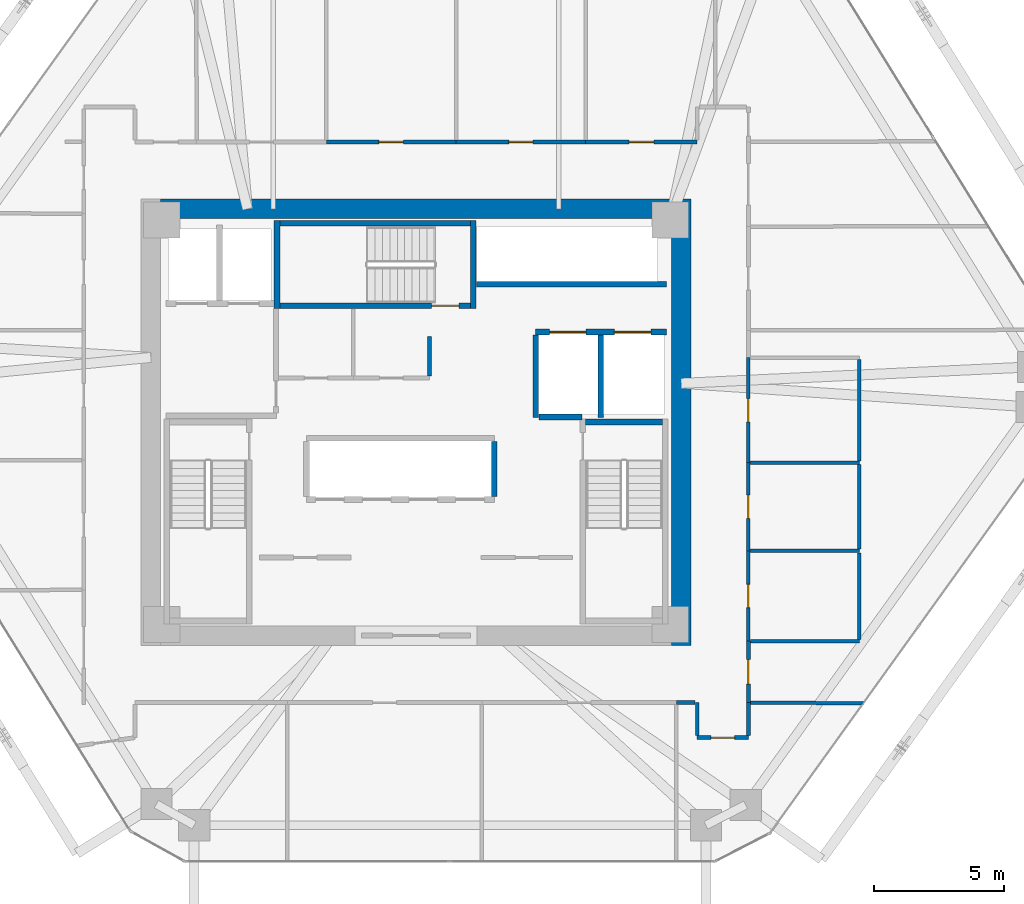
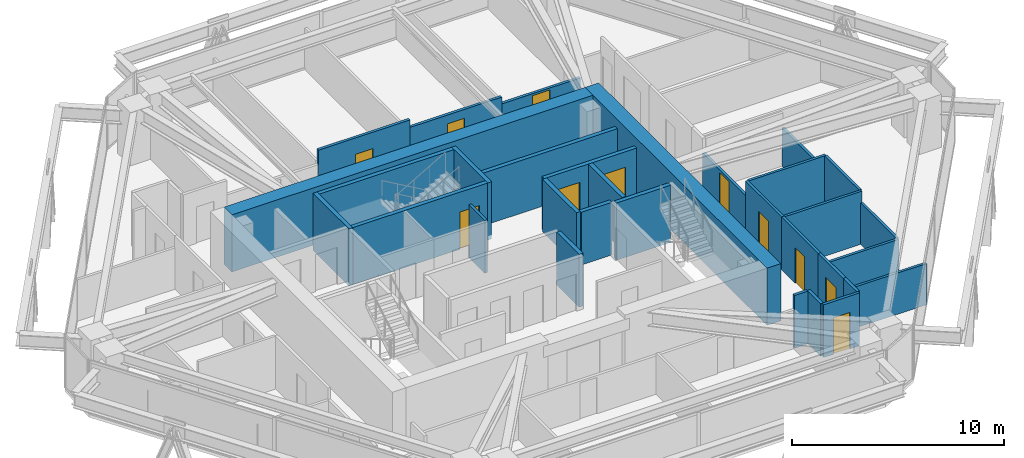
# One storey, part 14 of 16: 32 walls, 11 doors, 11 openings.
"""IFC4 building model written with IfcOpenShell, lengths in metres."""

import ifcopenshell
import ifcopenshell.guid

model = None  # the IFC model being written
_history = None  # IfcOwnerHistory: only IFC2X3 demands one
_inside = {}  # id of a spatial element -> (the spatial element, [elements in it])
_under = {}  # id of a project, library or spatial element -> (it, [spatial elements below it])
_declared = {}  # id of a project -> (the project, [libraries it declares])
_typed = {}  # id of a type object -> (the type object, [elements of that type])
_made_of = {}  # id of a material, layer set ... -> (it, [elements and type objects made of it])


def new_model(schema):
    """Start an empty IFC model of exactly this schema.

    Asked for "IFC4X3", IfcOpenShell would pick the latest addendum, in which some entities
    have other attributes; the version numbers below select the first issue.
    IFC2X3 requires an IfcOwnerHistory on every rooted entity: one is made here for all.
    """
    global model, _history
    if schema == "IFC4X3":
        model = ifcopenshell.file(schema_version=(4, 3, 0, 0))
    else:
        model = ifcopenshell.file(schema=schema)
    _inside.clear()
    _under.clear()
    _declared.clear()
    _typed.clear()
    _made_of.clear()
    _history = None
    if model.schema == "IFC2X3":
        org = make("IfcOrganization", Name="unknown")
        user = make(
            "IfcPersonAndOrganization",
            ThePerson=make("IfcPerson", FamilyName="unknown"),
            TheOrganization=org,
        )
        app = make(
            "IfcApplication",
            ApplicationDeveloper=org,
            Version="unknown",
            ApplicationFullName="unknown",
            ApplicationIdentifier="unknown",
        )
        _history = make(
            "IfcOwnerHistory",
            OwningUser=user,
            OwningApplication=app,
            ChangeAction="ADDED",
            CreationDate=0,
        )
    return model


def make(cls, **values):
    """One entity of the class cls with the attributes given. An attribute that is None is left unset."""
    return model.create_entity(
        cls, **{name: value for name, value in values.items() if value is not None}
    )


def rooted(cls, **values):
    """An entity with a GlobalId (a new one), such as an element, a storey or a relation."""
    return make(cls, GlobalId=ifcopenshell.guid.new(), OwnerHistory=_history, **values)


def si_unit(unit_type, name, prefix=None):
    """IfcSIUnit, for example si_unit("LENGTHUNIT", "METRE", prefix="MILLI")."""
    return make("IfcSIUnit", UnitType=unit_type, Prefix=prefix, Name=name)


def assignment(units):
    """IfcUnitAssignment: the units of a project."""
    return None if units is None else make("IfcUnitAssignment", Units=units)


def point(xyz):
    """IfcCartesianPoint."""
    return None if xyz is None else make("IfcCartesianPoint", Coordinates=xyz)


def direction(xyz):
    """IfcDirection."""
    return None if xyz is None else make("IfcDirection", DirectionRatios=xyz)


def frame(location, z_axis=None, x_axis=None):
    """IfcAxis2Placement3D, a coordinate frame: its origin and axes. An axis left out is left unset."""
    return make(
        "IfcAxis2Placement3D",
        Location=point(location),
        Axis=direction(z_axis),
        RefDirection=direction(x_axis),
    )


def frame_2d(location, x_axis=None):
    """IfcAxis2Placement2D, a coordinate frame in the plane: its origin and x axis."""
    return make(
        "IfcAxis2Placement2D", Location=point(location), RefDirection=direction(x_axis)
    )


def origin():
    """The frame at (0, 0, 0) with its axes left unset."""
    return frame((0.0, 0.0, 0.0))


def place(relative_to, where):
    """IfcLocalPlacement: puts the frame where relative to a parent placement (None: the world)."""
    return make(
        "IfcLocalPlacement", PlacementRelTo=relative_to, RelativePlacement=where
    )


def context(
    kind, dimensions, precision=None, world=None, true_north=None, identifier=None
):
    """IfcGeometricRepresentationContext, for example the 3D "Model" context."""
    return make(
        "IfcGeometricRepresentationContext",
        ContextIdentifier=identifier,
        ContextType=kind,
        CoordinateSpaceDimension=dimensions,
        Precision=precision,
        WorldCoordinateSystem=world,
        TrueNorth=true_north,
    )


def subcontext(parent, identifier, kind, view, scale=None):
    """IfcGeometricRepresentationSubContext, for example "Body" below "Model"."""
    return make(
        "IfcGeometricRepresentationSubContext",
        ContextIdentifier=identifier,
        ContextType=kind,
        ParentContext=parent,
        TargetScale=scale,
        TargetView=view,
    )


def project(units=None, contexts=None):
    """IfcProject with its units and contexts."""
    return rooted(
        "IfcProject",
        Name="project",
        RepresentationContexts=contexts,
        UnitsInContext=assignment(units),
    )


def spatial(cls, under=None, at=None, **own):
    """A site, building, storey or space (cls), placed at a placement, below another one or the project."""
    s = rooted(cls, ObjectPlacement=at, **own)
    if under is not None:
        _under.setdefault(under.id(), (under, []))[1].append(s)
    return s


def profile(cls, at=None, kind="AREA", **sizes):
    """A parametric profile (cls). Its sizes go by their IFC names, for example OverallWidth=200.0."""
    return make(cls, ProfileType=kind, Position=at, **sizes)


def rectangle(**sizes):
    """IfcRectangleProfileDef."""
    return profile("IfcRectangleProfileDef", **sizes)


def extrude(swept, where, along, depth):
    """IfcExtrudedAreaSolid: the profile swept, set in the frame where, extruded along a direction by depth."""
    return make(
        "IfcExtrudedAreaSolid",
        SweptArea=swept,
        Position=where,
        ExtrudedDirection=direction(along),
        Depth=depth,
    )


def shape(context_of_items, identifier, shape_type, items):
    """IfcShapeRepresentation: the items that make up one representation, for example the "Body"."""
    return make(
        "IfcShapeRepresentation",
        ContextOfItems=context_of_items,
        RepresentationIdentifier=identifier,
        RepresentationType=shape_type,
        Items=items,
    )


def source(mapping_origin, context_of_items, identifier, shape_type, items):
    """IfcRepresentationMap: a shape defined once, which mapped items show again and again."""
    return make(
        "IfcRepresentationMap",
        MappingOrigin=mapping_origin,
        MappedRepresentation=shape(context_of_items, identifier, shape_type, items),
    )


def transform(
    local_origin,
    x_axis=None,
    y_axis=None,
    z_axis=None,
    scale=None,
    scale2=None,
    scale3=None,
    uniform=True,
):
    """IfcCartesianTransformationOperator3D, or its non-uniform kind. x_axis, y_axis, z_axis: its Axis1, 2, 3."""
    if uniform:
        return make(
            "IfcCartesianTransformationOperator3D",
            Axis1=direction(x_axis),
            Axis2=direction(y_axis),
            LocalOrigin=point(local_origin),
            Scale=scale,
            Axis3=direction(z_axis),
        )
    return make(
        "IfcCartesianTransformationOperator3DnonUniform",
        Axis1=direction(x_axis),
        Axis2=direction(y_axis),
        LocalOrigin=point(local_origin),
        Scale=scale,
        Axis3=direction(z_axis),
        Scale2=scale2,
        Scale3=scale3,
    )


def mapped(mapping_source, mapping_target):
    """IfcMappedItem: shows the shape of a source again, moved by a transform."""
    return make(
        "IfcMappedItem", MappingSource=mapping_source, MappingTarget=mapping_target
    )


def material(Name=None, Category=None):
    """IfcMaterial."""
    return make("IfcMaterial", Name=Name, Category=Category)


def layer(
    of_material, thickness, ventilated=None, Name=None, Category=None, Priority=None
):
    """IfcMaterialLayer: one layer of a wall or slab, of a material (None: an air gap)."""
    return make(
        "IfcMaterialLayer",
        Material=of_material,
        LayerThickness=thickness,
        IsVentilated=ventilated,
        Name=Name,
        Category=Category,
        Priority=Priority,
    )


def layer_set(layers, Name=None):
    """IfcMaterialLayerSet."""
    return make("IfcMaterialLayerSet", MaterialLayers=layers, LayerSetName=Name)


def made_of(thing, what):
    """Note that an element or type object is made of a material, layer set ...; save() writes the relation."""
    if what is not None:
        _made_of.setdefault(what.id(), (what, []))[1].append(thing)
    return thing


def type_object(cls, material=None, **own):
    """A type object (cls), such as IfcWallType, which elements share."""
    return made_of(rooted(cls, **own), material)


def type_shapes(of_type, sources):
    """Give a type object the sources (RepresentationMaps) that its elements show as mapped items."""
    of_type.RepresentationMaps = sources


def element(
    cls,
    number,
    at=None,
    inside=None,
    cuts=None,
    type_object=None,
    material=None,
    context=None,
    identifier="Body",
    shape_type=None,
    held_by="IfcProductDefinitionShape",
    body=None,
    shapes=None,
    **own,
):
    """One element of the class cls, such as IfcWall. Its Tag is "e" and its number.

    at: its placement. inside: the storey or other place that contains it. cuts: it is an
    opening in that element (IfcRelVoidsElement). A single representation is given by context,
    identifier, shape_type and body (its items); several are given by shapes. held_by: the class
    of the entity that holds the representations. save() writes the other relations.
    """
    e = rooted(cls, Tag="e%d" % number, ObjectPlacement=at, **own)
    if body is not None:
        shapes = [shape(context, identifier, shape_type, body)]
    if shapes is not None:
        e.Representation = make(held_by, Representations=shapes)
    if inside is not None:
        _inside.setdefault(inside.id(), (inside, []))[1].append(e)
    if cuts is not None:
        rooted(
            "IfcRelVoidsElement", RelatingBuildingElement=cuts, RelatedOpeningElement=e
        )
    if type_object is not None:
        _typed.setdefault(type_object.id(), (type_object, []))[1].append(e)
    return made_of(e, material)


def fill(opening, filler):
    """IfcRelFillsElement: the door or window that sits in an opening."""
    return rooted(
        "IfcRelFillsElement",
        RelatingOpeningElement=opening,
        RelatedBuildingElement=filler,
    )


def aggregate(whole, parts):
    """IfcRelAggregates: a whole, such as a stair, and the parts it consists of."""
    return rooted("IfcRelAggregates", RelatingObject=whole, RelatedObjects=parts)


def save(model, path):
    """Write the relations noted so far, then the file.

    IfcRelAggregates (storeys below a building ...), IfcRelContainedInSpatialStructure (elements
    in a storey), IfcRelDefinesByType, IfcRelAssociatesMaterial and IfcRelDeclares: one each for
    every whole, place, type object, material and project.
    """
    for whole, parts in _under.values():
        aggregate(whole, parts)
    for where, things in _inside.values():
        rooted(
            "IfcRelContainedInSpatialStructure",
            RelatedElements=things,
            RelatingStructure=where,
        )
    for kind, things in _typed.values():
        rooted("IfcRelDefinesByType", RelatedObjects=things, RelatingType=kind)
    for what, things in _made_of.values():
        rooted("IfcRelAssociatesMaterial", RelatedObjects=things, RelatingMaterial=what)
    for by, libraries in _declared.values():
        rooted("IfcRelDeclares", RelatingContext=by, RelatedDefinitions=libraries)
    model.write(path)


model = new_model("IFC4")

# Units and contexts
model_context = context("Model", 3, precision=1e-05, world=origin(), true_north=direction((0.0, 1.0)))
body_context = subcontext(model_context, "Body", "Model", "MODEL_VIEW")
ifc_project = project(units=[si_unit("LENGTHUNIT", "METRE"), si_unit("AREAUNIT", "SQUARE_METRE"), si_unit("VOLUMEUNIT", "CUBIC_METRE"), si_unit("PLANEANGLEUNIT", "RADIAN"), si_unit("MASSUNIT", "GRAM", prefix="KILO")], contexts=[model_context])

# Site, building, storey
site_placement = place(None, origin())
site = spatial("IfcSite", under=ifc_project, at=site_placement, CompositionType="ELEMENT")
building_placement = place(site_placement, origin())
building = spatial("IfcBuilding", under=site, at=building_placement, Name="Durnholm Broadcast Tower", CompositionType="ELEMENT")
storey_placement = place(building_placement, frame((0.0, 0.0, 130.5)))
storey = spatial("IfcBuildingStorey", under=building, at=storey_placement, Name="L35", CompositionType="ELEMENT", Elevation=130.5)

# Walls
ifc_material_1 = material(Name="Concrete C70/85", Category="concrete")
ifc_layer_1 = layer(ifc_material_1, 0.75)
ifc_layer_set_1 = layer_set([ifc_layer_1], Name="Concrete C70/85")
wall_type_1 = type_object("IfcWallType", Name="WALL-CW-750", PredefinedType="SHEAR", material=ifc_layer_set_1)
wall_1_placement = place(storey_placement, frame((10.22509765625, -8.60009765625, 0.0), z_axis=(0.0, 0.0, 1.0), x_axis=(0.0, 1.0, 0.0)))
element("IfcWall", 1, at=wall_1_placement, inside=storey, type_object=wall_type_1, Name="L35 central core shear wall CW-EAST", PredefinedType="SHEAR", context=body_context, shape_type="SweptSolid", body=[
    extrude(rectangle(XDim=17.2001953125, YDim=0.75, at=frame_2d((8.60009765625, 0.0))), origin(), (0.0, 0.0, 1.0), 3.300048828125),
])
wall_2_placement = place(storey_placement, frame((-9.85009765625, 8.22509765625, 0.0), z_axis=(0.0, 0.0, 1.0), x_axis=(1.0, 0.0, 0.0)))
element("IfcWall", 2, at=wall_2_placement, inside=storey, type_object=wall_type_1, Name="L35 central core shear wall CW-N", PredefinedType="SHEAR", context=body_context, shape_type="SweptSolid", body=[
    extrude(rectangle(XDim=19.7001953125, YDim=0.75, at=frame_2d((9.85009765625, 0.0))), origin(), (0.0, 0.0, 1.0), 3.300048828125),
])
ifc_material_2 = material(Name="Gypsum Metal Stud Partition", Category="concrete")
ifc_layer_2 = layer(ifc_material_2, 0.135009765625)
ifc_layer_set_2 = layer_set([ifc_layer_2], Name="Gypsum Metal Stud Partition")
wall_type_2 = type_object("IfcWallType", Name="WALL-PART-135", PredefinedType="PARTITIONING", material=ifc_layer_set_2)
wall_3_placement = place(storey_placement, frame((12.888916015625, -10.810302734375, 0.0), z_axis=(0.0, 0.0, 1.0), x_axis=(0.999986140562, -0.005264853658, 0.0)))
element("IfcWall", 3, at=wall_3_placement, inside=storey, type_object=wall_type_2, Name="L35 room dividing partition 17.24", PredefinedType="PARTITIONING", context=body_context, shape_type="SweptSolid", body=[
    extrude(rectangle(XDim=4.35888671875, YDim=0.135009765625, at=frame_2d((2.179443359375, 0.0))), origin(), (0.0, 0.0, 1.0), 2.3798828125),
])
ifc_material_3 = material(Name="Acoustic Gypsum Stud Partition", Category="concrete")
ifc_layer_3 = layer(ifc_material_3, 0.14990234375)
ifc_layer_set_3 = layer_set([ifc_layer_3], Name="Acoustic Gypsum Stud Partition")
wall_type_3 = type_object("IfcWallType", Name="WALL-PART-150", PredefinedType="PARTITIONING", material=ifc_layer_set_3)
wall_4_placement = place(storey_placement, frame((0.52001953125, 3.300048828125, 0.0), z_axis=(0.0, 0.0, 1.0), x_axis=(0.0, -1.0, 0.0)))
element("IfcWall", 4, at=wall_4_placement, inside=storey, type_object=wall_type_3, Name="L35 Core Mail and Supply Room corridor partition", PredefinedType="PARTITIONING", context=body_context, shape_type="SweptSolid", body=[
    extrude(rectangle(XDim=1.510986328125, YDim=0.14990234375, at=frame_2d((0.75537109375, 0.0))), origin(), (0.0, 0.0, 1.0), 3.044921875),
])

# Wall, opening, door
wall_5_placement = place(storey_placement, frame((1.5400390625, 10.81005859375, 0.0), z_axis=(0.0, 0.0, 1.0), x_axis=(-1.0, 0.0, 0.0)))
wall_5 = element("IfcWall", 5, at=wall_5_placement, inside=storey, type_object=wall_type_3, Name="L35 Podcast Dining Room corridor partition", PredefinedType="PARTITIONING", context=body_context, shape_type="SweptSolid", body=[
    extrude(rectangle(XDim=5.0, YDim=0.14990234375, at=frame_2d((2.5, 0.0))), origin(), (0.0, 0.0, 1.0), 3.044921875),
])
opening_1_placement = place(wall_5_placement, frame((2.02490234375, 0.0, 0.0)))
opening_1 = element("IfcOpeningElement", 6, at=opening_1_placement, cuts=wall_5, Name="Opening DR-95L", PredefinedType="OPENING", context=body_context, shape_type="SweptSolid", body=[
    extrude(rectangle(XDim=0.949951171875, YDim=2.10009765625, at=frame_2d((0.47509765625, 1.050048828125))), frame((0.0, 0.0849609375, 0.0), z_axis=(0.0, -1.0, 0.0), x_axis=(1.0, 0.0, 0.0)), (0.0, 0.0, 1.0), 0.169921875),
])
ifc_material_4 = material(Name="Acoustic Oak Veneer Timber Door", Category="wood")
ifc_layer_4 = layer(ifc_material_4, 0.050048828125)
ifc_layer_set_4 = layer_set([ifc_layer_4], Name="Acoustic Oak Veneer Timber Door")
door_type_1 = type_object("IfcDoorType", Name="DOOR-RM-950L", OperationType="NOTDEFINED", PredefinedType="DOOR", material=ifc_layer_set_4)
shared_shape_1 = source(origin(), body_context, "Body", "SweptSolid", [
    extrude(rectangle(XDim=0.949951171875, YDim=2.10009765625, at=frame_2d((0.47509765625, 1.050048828125))), frame((0.0, 0.02490234375, 0.0), z_axis=(0.0, -1.0, 0.0), x_axis=(1.0, 0.0, 0.0)), (0.0, 0.0, 1.0), 0.050048828125),
])
type_shapes(door_type_1, [shared_shape_1])
door_1_placement = place(opening_1_placement, origin())
door_1 = element("IfcDoor", 7, at=door_1_placement, inside=storey, type_object=door_type_1, Name="L35 Podcast Dining Room entrance door", OperationType="SINGLE_SWING_LEFT", OverallHeight=2.10009765625, OverallWidth=0.949951171875, PredefinedType="DOOR", context=body_context, shape_type="MappedRepresentation", body=[
    mapped(shared_shape_1, transform((0.0, 0.0, 0.0), x_axis=(1.0, 0.0, 0.0), y_axis=(0.0, 1.0, 0.0), z_axis=(0.0, 0.0, 1.0), scale=1.0)),
])
fill(opening_1, door_1)

wall_6_placement = place(storey_placement, frame((6.5400390625, 10.81005859375, 0.0), z_axis=(0.0, 0.0, 1.0), x_axis=(-1.0, 0.0, 0.0)))
wall_6 = element("IfcWall", 8, at=wall_6_placement, inside=storey, type_object=wall_type_3, Name="L35 Audio Lounge corridor partition", PredefinedType="PARTITIONING", context=body_context, shape_type="SweptSolid", body=[
    extrude(rectangle(XDim=5.0, YDim=0.14990234375, at=frame_2d((2.5, 0.0))), origin(), (0.0, 0.0, 1.0), 2.6083984375),
])
opening_2_placement = place(wall_6_placement, frame((2.0400390625, 0.0, 0.0)))
opening_2 = element("IfcOpeningElement", 9, at=opening_2_placement, cuts=wall_6, Name="Opening DR-92R", PredefinedType="OPENING", context=body_context, shape_type="SweptSolid", body=[
    extrude(rectangle(XDim=0.919921875, YDim=2.10009765625, at=frame_2d((0.4599609375, 1.050048828125))), frame((0.0, 0.0849609375, 0.0), z_axis=(0.0, -1.0, 0.0), x_axis=(1.0, 0.0, 0.0)), (0.0, 0.0, 1.0), 0.169921875),
])
ifc_material_5 = material(Name="Oak Veneer Office Door", Category="wood")
ifc_layer_5 = layer(ifc_material_5, 0.050048828125)
ifc_layer_set_5 = layer_set([ifc_layer_5], Name="Oak Veneer Office Door")
door_type_2 = type_object("IfcDoorType", Name="DOOR-RM-920R", OperationType="NOTDEFINED", PredefinedType="DOOR", material=ifc_layer_set_5)
shared_shape_2 = source(origin(), body_context, "Body", "SweptSolid", [
    extrude(rectangle(XDim=0.919921875, YDim=2.10009765625, at=frame_2d((0.4599609375, 1.050048828125))), frame((0.0, 0.02490234375, 0.0), z_axis=(0.0, -1.0, 0.0), x_axis=(1.0, 0.0, 0.0)), (0.0, 0.0, 1.0), 0.050048828125),
])
type_shapes(door_type_2, [shared_shape_2])
door_2_placement = place(opening_2_placement, origin())
door_2 = element("IfcDoor", 10, at=door_2_placement, inside=storey, type_object=door_type_2, Name="L35 Audio Lounge entrance door", OperationType="SINGLE_SWING_RIGHT", OverallHeight=2.10009765625, OverallWidth=0.919921875, PredefinedType="DOOR", context=body_context, shape_type="MappedRepresentation", body=[
    mapped(shared_shape_2, transform((0.0, 0.0, 0.0), x_axis=(1.0, 0.0, 0.0), y_axis=(0.0, 1.0, 0.0), z_axis=(0.0, 0.0, 1.0), scale=1.0)),
])
fill(opening_2, door_2)

wall_7_placement = place(storey_placement, frame((10.840087890625, 10.81005859375, 0.0), z_axis=(0.0, 0.0, 1.0), x_axis=(-1.0, 0.0, 0.0)))
wall_7 = element("IfcWall", 11, at=wall_7_placement, inside=storey, type_object=wall_type_3, Name="L35 Acoustic Meeting Room 1 corridor partition", PredefinedType="PARTITIONING", context=body_context, shape_type="SweptSolid", body=[
    extrude(rectangle(XDim=4.300048828125, YDim=0.14990234375, at=frame_2d((2.14990234375, 0.0))), origin(), (0.0, 0.0, 1.0), 2.212158203125),
])
opening_3_placement = place(wall_7_placement, frame((1.675048828125, 0.0, 0.0)))
opening_3 = element("IfcOpeningElement", 12, at=opening_3_placement, cuts=wall_7, Name="Opening DR-95L", PredefinedType="OPENING", context=body_context, shape_type="SweptSolid", body=[
    extrude(rectangle(XDim=0.949951171875, YDim=2.10009765625, at=frame_2d((0.47509765625, 1.050048828125))), frame((0.0, 0.0849609375, 0.0), z_axis=(0.0, -1.0, 0.0), x_axis=(1.0, 0.0, 0.0)), (0.0, 0.0, 1.0), 0.169921875),
])
door_3_placement = place(opening_3_placement, origin())
door_3 = element("IfcDoor", 13, at=door_3_placement, inside=storey, type_object=door_type_1, Name="L35 Acoustic Meeting Room 1 entrance door", OperationType="SINGLE_SWING_LEFT", OverallHeight=2.10009765625, OverallWidth=0.949951171875, PredefinedType="DOOR", context=body_context, shape_type="MappedRepresentation", body=[
    mapped(shared_shape_1, transform((0.0, 0.0, 0.0), x_axis=(1.0, 0.0, 0.0), y_axis=(0.0, 1.0, 0.0), z_axis=(0.0, 0.0, 1.0), scale=1.0)),
])
fill(opening_3, door_3)

wall_8_placement = place(storey_placement, frame((10.840087890625, -12.159912109375, 0.0), z_axis=(0.0, 0.0, 1.0), x_axis=(1.0, 0.0, 0.0)))
wall_8 = element("IfcWall", 14, at=wall_8_placement, inside=storey, type_object=wall_type_3, Name="L35 Open Plan Broadcast Workspace 5 corridor partition", PredefinedType="PARTITIONING", context=body_context, shape_type="SweptSolid", body=[
    extrude(rectangle(XDim=1.969970703125, YDim=0.14990234375, at=frame_2d((0.98486328125, 0.0))), origin(), (0.0, 0.0, 1.0), 3.044921875),
])
opening_4_placement = place(wall_8_placement, frame((0.52490234375, 0.0, 0.0)))
opening_4 = element("IfcOpeningElement", 15, at=opening_4_placement, cuts=wall_8, Name="Opening DR-92R", PredefinedType="OPENING", context=body_context, shape_type="SweptSolid", body=[
    extrude(rectangle(XDim=0.919921875, YDim=2.10009765625, at=frame_2d((0.4599609375, 1.050048828125))), frame((0.0, 0.0849609375, 0.0), z_axis=(0.0, -1.0, 0.0), x_axis=(1.0, 0.0, 0.0)), (0.0, 0.0, 1.0), 0.169921875),
])
door_4_placement = place(opening_4_placement, origin())
door_4 = element("IfcDoor", 16, at=door_4_placement, inside=storey, type_object=door_type_2, Name="L35 Open Plan Broadcast Workspace 5 entrance door", OperationType="SINGLE_SWING_RIGHT", OverallHeight=2.10009765625, OverallWidth=0.919921875, PredefinedType="DOOR", context=body_context, shape_type="MappedRepresentation", body=[
    mapped(shared_shape_2, transform((0.0, 0.0, 0.0), x_axis=(1.0, 0.0, 0.0), y_axis=(0.0, 1.0, 0.0), z_axis=(0.0, 0.0, 1.0), scale=1.0)),
])
fill(opening_4, door_4)

# Walls
for number, where, z_axis, x_axis, name in (
    (17, (10.840087890625, -10.81005859375, 0.0), (0.0, 0.0, 1.0), (0.0, -1.0, 0.0), "L35 Open Plan Broadcast Workspace 5 corridor partition"),
    (18, (12.81005859375, -12.0810546875, 0.0), (0.0, 0.0, 1.0), (0.0, 1.0, 0.0), "L35 Open Plan Broadcast Workspace 5 corridor partition"),
):
    element("IfcWall", number, at=place(storey_placement, frame(where, z_axis=z_axis, x_axis=x_axis)), inside=storey, type_object=wall_type_3, Name=name, PredefinedType="PARTITIONING", context=body_context, shape_type="SweptSolid", body=[
        extrude(rectangle(XDim=1.27099609375, YDim=0.14990234375, at=frame_2d((0.635498046875, 0.0))), origin(), (0.0, 0.0, 1.0), 3.044921875),
    ])
wall_9_placement = place(storey_placement, frame((10.0400390625, -10.81005859375, 0.0), z_axis=(0.0, 0.0, 1.0), x_axis=(1.0, 0.0, 0.0)))
element("IfcWall", 19, at=wall_9_placement, inside=storey, type_object=wall_type_3, Name="L35 Open Plan Broadcast Workspace 5 corridor partition", PredefinedType="PARTITIONING", context=body_context, shape_type="SweptSolid", body=[
    extrude(rectangle(XDim=0.720947265625, YDim=0.14990234375, at=frame_2d((0.3603515625, 0.0))), origin(), (0.0, 0.0, 1.0), 3.044921875),
])

# Wall, opening, door
wall_10_placement = place(storey_placement, frame((12.81005859375, -10.81005859375, 0.0), z_axis=(0.0, 0.0, 1.0), x_axis=(0.0, 1.0, 0.0)))
wall_10 = element("IfcWall", 20, at=wall_10_placement, inside=storey, type_object=wall_type_3, Name="L35 Open Plan Broadcast Workspace 6 corridor partition", PredefinedType="PARTITIONING", context=body_context, shape_type="SweptSolid", body=[
    extrude(rectangle(XDim=2.3701171875, YDim=0.14990234375, at=frame_2d((1.18505859375, 0.0))), origin(), (0.0, 0.0, 1.0), 3.044921875),
])
opening_5_placement = place(wall_10_placement, frame((0.7099609375, 0.0, 0.0)))
opening_5 = element("IfcOpeningElement", 21, at=opening_5_placement, cuts=wall_10, Name="Opening DR-95R", PredefinedType="OPENING", context=body_context, shape_type="SweptSolid", body=[
    extrude(rectangle(XDim=0.949951171875, YDim=2.10009765625, at=frame_2d((0.47509765625, 1.050048828125))), frame((0.0, 0.0849609375, 0.0), z_axis=(0.0, -1.0, 0.0), x_axis=(1.0, 0.0, 0.0)), (0.0, 0.0, 1.0), 0.169921875),
])
ifc_layer_6 = layer(ifc_material_4, 0.050048828125)
ifc_layer_set_6 = layer_set([ifc_layer_6], Name="Acoustic Oak Veneer Timber Door")
door_type_3 = type_object("IfcDoorType", Name="DOOR-RM-950R", OperationType="NOTDEFINED", PredefinedType="DOOR", material=ifc_layer_set_6)
shared_shape_3 = source(origin(), body_context, "Body", "SweptSolid", [
    extrude(rectangle(XDim=0.949951171875, YDim=2.10009765625, at=frame_2d((0.47509765625, 1.050048828125))), frame((0.0, 0.02490234375, 0.0), z_axis=(0.0, -1.0, 0.0), x_axis=(1.0, 0.0, 0.0)), (0.0, 0.0, 1.0), 0.050048828125),
])
type_shapes(door_type_3, [shared_shape_3])
door_5_placement = place(opening_5_placement, origin())
door_5 = element("IfcDoor", 22, at=door_5_placement, inside=storey, type_object=door_type_3, Name="L35 Open Plan Broadcast Workspace 6 entrance door", OperationType="SINGLE_SWING_RIGHT", OverallHeight=2.10009765625, OverallWidth=0.949951171875, PredefinedType="DOOR", context=body_context, shape_type="MappedRepresentation", body=[
    mapped(shared_shape_3, transform((0.0, 0.0, 0.0), x_axis=(1.0, 0.0, 0.0), y_axis=(0.0, 1.0, 0.0), z_axis=(0.0, 0.0, 1.0), scale=1.0)),
])
fill(opening_5, door_5)

# Wall, openings, doors
ifc_material_6 = material(Name="Concrete Blockwork C30/37", Category="masonry")
ifc_layer_7 = layer(ifc_material_6, 0.219970703125)
ifc_layer_set_7 = layer_set([ifc_layer_7], Name="Concrete Blockwork C30/37")
wall_type_4 = type_object("IfcWallType", Name="WALL-SHAFT-220", PredefinedType="SOLIDWALL", material=ifc_layer_set_7)
wall_11_placement = place(storey_placement, frame((4.60009765625, 3.47998046875, 0.0), z_axis=(0.0, 0.0, 1.0), x_axis=(1.0, 0.0, 0.0)))
wall_11 = element("IfcWall", 23, at=wall_11_placement, inside=storey, type_object=wall_type_4, Name="L35 freight service lifts north front wall", PredefinedType="SOLIDWALL", context=body_context, shape_type="SweptSolid", body=[
    extrude(rectangle(XDim=5.0498046875, YDim=0.219970703125, at=frame_2d((2.52490234375, 0.0))), origin(), (0.0, 0.0, 1.0), 3.044921875),
])
opening_6_placement = place(wall_11_placement, frame((0.550048828125, 0.0, 0.0)))
opening_6 = element("IfcOpeningElement", 24, at=opening_6_placement, cuts=wall_11, Name="Opening LD-SVL-2", PredefinedType="OPENING", context=body_context, shape_type="SweptSolid", body=[
    extrude(rectangle(XDim=1.39990234375, YDim=2.14990234375, at=frame_2d((0.699951171875, 1.074951171875))), frame((0.0, 0.1201171875, 0.0), z_axis=(0.0, -1.0, 0.0), x_axis=(1.0, 0.0, 0.0)), (0.0, 0.0, 1.0), 0.239990234375),
])
opening_7_placement = place(wall_11_placement, frame((3.050048828125, 0.0, 0.0)))
opening_7 = element("IfcOpeningElement", 25, at=opening_7_placement, cuts=wall_11, Name="Opening LD-SVL-1", PredefinedType="OPENING", context=body_context, shape_type="SweptSolid", body=[
    extrude(rectangle(XDim=1.39990234375, YDim=2.14990234375, at=frame_2d((0.699951171875, 1.074951171875))), frame((0.0, 0.1201171875, 0.0), z_axis=(0.0, -1.0, 0.0), x_axis=(1.0, 0.0, 0.0)), (0.0, 0.0, 1.0), 0.239990234375),
])
ifc_material_7 = material(Name="Freight Elevator Bi-Parting Sliding Landing Door", Category="steel")
ifc_layer_8 = layer(ifc_material_7, 0.050048828125)
ifc_layer_set_8 = layer_set([ifc_layer_8], Name="Freight Elevator Bi-Parting Sliding Landing Door")
door_type_4 = type_object("IfcDoorType", Name="DOOR-LIFT-SVL", OperationType="DOUBLE_DOOR_SLIDING", PredefinedType="DOOR", material=ifc_layer_set_8)
shared_shape_4 = source(origin(), body_context, "Body", "SweptSolid", [
    extrude(rectangle(XDim=1.39990234375, YDim=2.14990234375, at=frame_2d((0.699951171875, 1.074951171875))), frame((0.0, 0.02490234375, 0.0), z_axis=(0.0, -1.0, 0.0), x_axis=(1.0, 0.0, 0.0)), (0.0, 0.0, 1.0), 0.050048828125),
])
type_shapes(door_type_4, [shared_shape_4])
door_6_placement = place(opening_6_placement, origin())
door_6 = element("IfcDoor", 26, at=door_6_placement, inside=storey, type_object=door_type_4, Name="L35 freight service elevator SVL-2 sliding landing door", OperationType="DOUBLE_DOOR_SLIDING", OverallHeight=2.14990234375, OverallWidth=1.39990234375, PredefinedType="DOOR", context=body_context, shape_type="MappedRepresentation", body=[
    mapped(shared_shape_4, transform((0.0, 0.0, 0.0), x_axis=(1.0, 0.0, 0.0), y_axis=(0.0, 1.0, 0.0), z_axis=(0.0, 0.0, 1.0), scale=1.0)),
])
fill(opening_6, door_6)
door_7_placement = place(opening_7_placement, origin())
door_7 = element("IfcDoor", 27, at=door_7_placement, inside=storey, type_object=door_type_4, Name="L35 freight service elevator SVL-1 sliding landing door", OperationType="DOUBLE_DOOR_SLIDING", OverallHeight=2.14990234375, OverallWidth=1.39990234375, PredefinedType="DOOR", context=body_context, shape_type="MappedRepresentation", body=[
    mapped(shared_shape_4, transform((0.0, 0.0, 0.0), x_axis=(1.0, 0.0, 0.0), y_axis=(0.0, 1.0, 0.0), z_axis=(0.0, 0.0, 1.0), scale=1.0)),
])
fill(opening_7, door_7)

# Walls
for number, where, z_axis, x_axis, name in (
    (28, (4.6201171875, 0.179931640625, 0.0), (0.0, 0.0, 1.0), (0.0, 1.0, 0.0), "L35 freight service lift SVL-2 west wall"),
    (29, (7.1201171875, 0.179931640625, 0.0), (0.0, 0.0, 1.0), (0.0, 1.0, 0.0), "L35 freight service lifts divider wall"),
):
    element("IfcWall", number, at=place(storey_placement, frame(where, z_axis=z_axis, x_axis=x_axis)), inside=storey, type_object=wall_type_4, Name=name, PredefinedType="SOLIDWALL", context=body_context, shape_type="SweptSolid", body=[
        extrude(rectangle(XDim=3.18603515625, YDim=0.219970703125, at=frame_2d((1.593017578125, 0.0))), origin(), (0.0, 0.0, 1.0), 3.044921875),
    ])
wall_12_placement = place(storey_placement, frame((4.73388671875, 0.199951171875, 0.0), z_axis=(0.0, 0.0, 1.0), x_axis=(1.0, 0.0, 0.0)))
element("IfcWall", 30, at=wall_12_placement, inside=storey, type_object=wall_type_4, Name="L35 freight service lift SVL-2 south wall", PredefinedType="SOLIDWALL", context=body_context, shape_type="SweptSolid", body=[
    extrude(rectangle(XDim=1.666015625, YDim=0.219970703125, at=frame_2d((0.8330078125, 0.0))), origin(), (0.0, 0.0, 1.0), 3.044921875),
])
wall_13_placement = place(storey_placement, frame((3.02001953125, -2.865966796875, 0.0), z_axis=(0.0, 0.0, 1.0), x_axis=(0.0, 1.0, 0.0)))
element("IfcWall", 31, at=wall_13_placement, inside=storey, type_object=wall_type_4, Name="L35 mid-rise bank P2 east shaft wall", PredefinedType="SOLIDWALL", context=body_context, shape_type="SweptSolid", body=[
    extrude(rectangle(XDim=2.132080078125, YDim=0.219970703125, at=frame_2d((1.06591796875, 0.0))), origin(), (0.0, 0.0, 1.0), 3.044921875),
])
wall_14_placement = place(storey_placement, frame((2.324951171875, 5.320068359375, 0.0), z_axis=(0.0, 0.0, 1.0), x_axis=(1.0, 0.0, 0.0)))
element("IfcWall", 32, at=wall_14_placement, inside=storey, type_object=wall_type_4, Name="L35 high-rise bank P3 south front wall", PredefinedType="SOLIDWALL", context=body_context, shape_type="SweptSolid", body=[
    extrude(rectangle(XDim=7.324951171875, YDim=0.219970703125, at=frame_2d((3.66259765625, 0.0))), origin(), (0.0, 0.0, 1.0), 3.044921875),
])
ifc_material_8 = material(Name="Concrete C50/60", Category="concrete")
ifc_layer_9 = layer(ifc_material_8, 0.219970703125)
ifc_layer_set_9 = layer_set([ifc_layer_9], Name="Concrete C50/60")
wall_type_5 = type_object("IfcWallType", Name="WALL-SW-220", PredefinedType="SHEAR", material=ifc_layer_set_9)
wall_15_placement = place(storey_placement, frame((9.5, 0.010009765625, -0.239990234375), z_axis=(0.0, 0.0, 1.0), x_axis=(-1.0, 0.0, 0.0)))
element("IfcWall", 33, at=wall_15_placement, inside=storey, type_object=wall_type_5, Name="L35 stair ST-2 structural shaft wall N", PredefinedType="SHEAR", context=body_context, shape_type="SweptSolid", body=[
    extrude(rectangle(XDim=2.9599609375, YDim=0.219970703125, at=frame_2d((1.47998046875, 0.0))), origin(), (0.0, 0.0, 1.0), 3.300048828125),
])
for number, where, z_axis, x_axis, name in (
    (34, (2.2099609375, 4.3798828125, -0.239990234375), (0.0, 0.0, 1.0), (0.0, 1.0, 0.0), "L35 stair ST-3 structural shaft wall E"),
    (35, (-5.360107421875, 7.780029296875, -0.239990234375), (0.0, 0.0, 1.0), (0.0, -1.0, 0.0), "L35 stair ST-3 structural shaft wall W"),
):
    element("IfcWall", number, at=place(storey_placement, frame(where, z_axis=z_axis, x_axis=x_axis)), inside=storey, type_object=wall_type_5, Name=name, PredefinedType="SHEAR", context=body_context, shape_type="SweptSolid", body=[
        extrude(rectangle(XDim=3.400146484375, YDim=0.219970703125, at=frame_2d((1.7001953125, 0.0))), origin(), (0.0, 0.0, 1.0), 3.300048828125),
    ])

# Wall, opening, door
wall_16_placement = place(storey_placement, frame((-5.25, 4.489990234375, -0.239990234375), z_axis=(0.0, 0.0, 1.0), x_axis=(1.0, 0.0, 0.0)))
wall_16 = element("IfcWall", 36, at=wall_16_placement, inside=storey, type_object=wall_type_5, Name="L35 stair ST-3 structural shaft wall S", PredefinedType="SHEAR", context=body_context, shape_type="SweptSolid", body=[
    extrude(rectangle(XDim=7.35009765625, YDim=0.219970703125, at=frame_2d((3.675048828125, 0.0))), origin(), (0.0, 0.0, 1.0), 3.300048828125),
])
opening_8_placement = place(wall_16_placement, frame((5.85009765625, 0.0, 0.0)))
opening_8 = element("IfcOpeningElement", 37, at=opening_8_placement, cuts=wall_16, Name="Opening DS-90L", PredefinedType="OPENING", context=body_context, shape_type="SweptSolid", body=[
    extrude(rectangle(XDim=1.050048828125, YDim=2.14990234375, at=frame_2d((0.52490234375, 1.074951171875))), frame((0.0, 0.1201171875, 0.0), z_axis=(0.0, -1.0, 0.0), x_axis=(1.0, 0.0, 0.0)), (0.0, 0.0, 1.0), 0.239990234375),
])
ifc_material_9 = material(Name="Fire-Rated Steel Door", Category="steel")
ifc_layer_10 = layer(ifc_material_9, 0.050048828125)
ifc_layer_set_10 = layer_set([ifc_layer_10], Name="Fire-Rated Steel Door")
door_type_5 = type_object("IfcDoorType", Name="DOOR-ST-FD90-L", OperationType="NOTDEFINED", PredefinedType="DOOR", material=ifc_layer_set_10)
shared_shape_5 = source(origin(), body_context, "Body", "SweptSolid", [
    extrude(rectangle(XDim=1.050048828125, YDim=2.14990234375, at=frame_2d((0.52490234375, 1.074951171875))), frame((0.0, 0.02490234375, 0.0), z_axis=(0.0, -1.0, 0.0), x_axis=(1.0, 0.0, 0.0)), (0.0, 0.0, 1.0), 0.050048828125),
])
type_shapes(door_type_5, [shared_shape_5])
door_8_placement = place(opening_8_placement, origin())
door_8 = element("IfcDoor", 38, at=door_8_placement, inside=storey, type_object=door_type_5, Name="L35 exit stair ST-3 fire door", OperationType="SINGLE_SWING_LEFT", OverallHeight=2.14990234375, OverallWidth=1.050048828125, PredefinedType="DOOR", context=body_context, shape_type="MappedRepresentation", body=[
    mapped(shared_shape_5, transform((0.0, 0.0, 0.0), x_axis=(1.0, 0.0, 0.0), y_axis=(0.0, 1.0, 0.0), z_axis=(0.0, 0.0, 1.0), scale=1.0)),
])
fill(opening_8, door_8)

# Wall
wall_17_placement = place(storey_placement, frame((2.10009765625, 7.669921875, -0.239990234375), z_axis=(0.0, 0.0, 1.0), x_axis=(-1.0, 0.0, 0.0)))
element("IfcWall", 39, at=wall_17_placement, inside=storey, type_object=wall_type_5, Name="L35 stair ST-3 structural shaft wall N", PredefinedType="SHEAR", context=body_context, shape_type="SweptSolid", body=[
    extrude(rectangle(XDim=7.35009765625, YDim=0.219970703125, at=frame_2d((3.675048828125, 0.0))), origin(), (0.0, 0.0, 1.0), 3.300048828125),
])

# Wall, opening, door
ifc_material_10 = material(Name="Moisture-Resistant Tile Partition", Category="concrete")
ifc_layer_11 = layer(ifc_material_10, 0.139892578125)
ifc_layer_set_11 = layer_set([ifc_layer_11], Name="Moisture-Resistant Tile Partition")
wall_type_6 = type_object("IfcWallType", Name="WALL-WC-140", PredefinedType="PARTITIONING", material=ifc_layer_set_11)
wall_18_placement = place(storey_placement, frame((12.81005859375, -8.43994140625, 0.0), z_axis=(0.0, 0.0, 1.0), x_axis=(0.0, 1.0, 0.0)))
wall_18 = element("IfcWall", 40, at=wall_18_placement, inside=storey, type_object=wall_type_6, Name="L35 Men's Restroom corridor partition", PredefinedType="PARTITIONING", context=body_context, shape_type="SweptSolid", body=[
    extrude(rectangle(XDim=3.47998046875, YDim=0.139892578125, at=frame_2d((1.739990234375, 0.0))), origin(), (0.0, 0.0, 1.0), 3.044921875),
])
opening_9_placement = place(wall_18_placement, frame((1.2900390625, 0.0, 0.0)))
opening_9 = element("IfcOpeningElement", 41, at=opening_9_placement, cuts=wall_18, Name="Opening DW-90R", PredefinedType="OPENING", context=body_context, shape_type="SweptSolid", body=[
    extrude(rectangle(XDim=0.89990234375, YDim=2.050048828125, at=frame_2d((0.449951171875, 1.02490234375))), frame((0.0, 0.080078125, 0.0), z_axis=(0.0, -1.0, 0.0), x_axis=(1.0, 0.0, 0.0)), (0.0, 0.0, 1.0), 0.159912109375),
])
ifc_material_11 = material(Name="Laminate Restroom Door", Category="steel")
ifc_layer_12 = layer(ifc_material_11, 0.050048828125)
ifc_layer_set_12 = layer_set([ifc_layer_12], Name="Laminate Restroom Door")
door_type_6 = type_object("IfcDoorType", Name="DOOR-WC-900R", OperationType="NOTDEFINED", PredefinedType="DOOR", material=ifc_layer_set_12)
shared_shape_6 = source(origin(), body_context, "Body", "SweptSolid", [
    extrude(rectangle(XDim=0.89990234375, YDim=2.050048828125, at=frame_2d((0.449951171875, 1.02490234375))), frame((0.0, 0.02490234375, 0.0), z_axis=(0.0, -1.0, 0.0), x_axis=(1.0, 0.0, 0.0)), (0.0, 0.0, 1.0), 0.050048828125),
])
type_shapes(door_type_6, [shared_shape_6])
door_9_placement = place(opening_9_placement, origin())
door_9 = element("IfcDoor", 42, at=door_9_placement, inside=storey, type_object=door_type_6, Name="L35 Men's Restroom entrance door", OperationType="SINGLE_SWING_RIGHT", OverallHeight=2.050048828125, OverallWidth=0.89990234375, PredefinedType="DOOR", context=body_context, shape_type="MappedRepresentation", body=[
    mapped(shared_shape_6, transform((0.0, 0.0, 0.0), x_axis=(1.0, 0.0, 0.0), y_axis=(0.0, 1.0, 0.0), z_axis=(0.0, 0.0, 1.0), scale=1.0)),
])
fill(opening_9, door_9)

wall_19_placement = place(storey_placement, frame((12.81005859375, -4.9599609375, 0.0), z_axis=(0.0, 0.0, 1.0), x_axis=(0.0, 1.0, 0.0)))
wall_19 = element("IfcWall", 43, at=wall_19_placement, inside=storey, type_object=wall_type_6, Name="L35 Women's Restroom corridor partition", PredefinedType="PARTITIONING", context=body_context, shape_type="SweptSolid", body=[
    extrude(rectangle(XDim=3.39990234375, YDim=0.139892578125, at=frame_2d((1.699951171875, 0.0))), origin(), (0.0, 0.0, 1.0), 3.044921875),
])
opening_10_placement = place(wall_19_placement, frame((1.25, 0.0, 0.0)))
opening_10 = element("IfcOpeningElement", 44, at=opening_10_placement, cuts=wall_19, Name="Opening DW-90L", PredefinedType="OPENING", context=body_context, shape_type="SweptSolid", body=[
    extrude(rectangle(XDim=0.89990234375, YDim=2.050048828125, at=frame_2d((0.449951171875, 1.02490234375))), frame((0.0, 0.080078125, 0.0), z_axis=(0.0, -1.0, 0.0), x_axis=(1.0, 0.0, 0.0)), (0.0, 0.0, 1.0), 0.159912109375),
])
ifc_layer_13 = layer(ifc_material_11, 0.050048828125)
ifc_layer_set_13 = layer_set([ifc_layer_13], Name="Laminate Restroom Door")
door_type_7 = type_object("IfcDoorType", Name="DOOR-WC-900L", OperationType="NOTDEFINED", PredefinedType="DOOR", material=ifc_layer_set_13)
shared_shape_7 = source(origin(), body_context, "Body", "SweptSolid", [
    extrude(rectangle(XDim=0.89990234375, YDim=2.050048828125, at=frame_2d((0.449951171875, 1.02490234375))), frame((0.0, 0.02490234375, 0.0), z_axis=(0.0, -1.0, 0.0), x_axis=(1.0, 0.0, 0.0)), (0.0, 0.0, 1.0), 0.050048828125),
])
type_shapes(door_type_7, [shared_shape_7])
door_10_placement = place(opening_10_placement, origin())
door_10 = element("IfcDoor", 45, at=door_10_placement, inside=storey, type_object=door_type_7, Name="L35 Women's Restroom entrance door", OperationType="SINGLE_SWING_LEFT", OverallHeight=2.050048828125, OverallWidth=0.89990234375, PredefinedType="DOOR", context=body_context, shape_type="MappedRepresentation", body=[
    mapped(shared_shape_7, transform((0.0, 0.0, 0.0), x_axis=(1.0, 0.0, 0.0), y_axis=(0.0, 1.0, 0.0), z_axis=(0.0, 0.0, 1.0), scale=1.0)),
])
fill(opening_10, door_10)

wall_20_placement = place(storey_placement, frame((12.81005859375, -1.56005859375, 0.0), z_axis=(0.0, 0.0, 1.0), x_axis=(0.0, 1.0, 0.0)))
wall_20 = element("IfcWall", 46, at=wall_20_placement, inside=storey, type_object=wall_type_6, Name="L35 Accessible Restroom corridor partition", PredefinedType="PARTITIONING", context=body_context, shape_type="SweptSolid", body=[
    extrude(rectangle(XDim=4.050048828125, YDim=0.139892578125, at=frame_2d((2.02490234375, 0.0))), origin(), (0.0, 0.0, 1.0), 2.212158203125),
])
opening_11_placement = place(wall_20_placement, frame((1.574951171875, 0.0, 0.0)))
opening_11 = element("IfcOpeningElement", 47, at=opening_11_placement, cuts=wall_20, Name="Opening DW-90R", PredefinedType="OPENING", context=body_context, shape_type="SweptSolid", body=[
    extrude(rectangle(XDim=0.89990234375, YDim=2.050048828125, at=frame_2d((0.449951171875, 1.02490234375))), frame((0.0, 0.080078125, 0.0), z_axis=(0.0, -1.0, 0.0), x_axis=(1.0, 0.0, 0.0)), (0.0, 0.0, 1.0), 0.159912109375),
])
door_11_placement = place(opening_11_placement, origin())
door_11 = element("IfcDoor", 48, at=door_11_placement, inside=storey, type_object=door_type_6, Name="L35 Accessible Restroom entrance door", OperationType="SINGLE_SWING_RIGHT", OverallHeight=2.050048828125, OverallWidth=0.89990234375, PredefinedType="DOOR", context=body_context, shape_type="MappedRepresentation", body=[
    mapped(shared_shape_6, transform((0.0, 0.0, 0.0), x_axis=(1.0, 0.0, 0.0), y_axis=(0.0, 1.0, 0.0), z_axis=(0.0, 0.0, 1.0), scale=1.0)),
])
fill(opening_11, door_11)

# Walls
wall_21_placement = place(storey_placement, frame((12.884033203125, -4.9599609375, 0.0), z_axis=(0.0, 0.0, 1.0), x_axis=(1.0, 0.0, 0.0)))
element("IfcWall", 49, at=wall_21_placement, inside=storey, type_object=wall_type_6, Name="L35 room dividing partition 5.6", PredefinedType="PARTITIONING", context=body_context, shape_type="SweptSolid", body=[
    extrude(rectangle(XDim=4.2060546875, YDim=0.139892578125, at=frame_2d((2.10302734375, 0.0))), origin(), (0.0, 0.0, 1.0), 3.044921875),
])
wall_22_placement = place(storey_placement, frame((17.090087890625, -8.43994140625, 0.0), z_axis=(0.0, 0.0, 1.0), x_axis=(-1.0, 0.0, 0.0)))
element("IfcWall", 50, at=wall_22_placement, inside=storey, type_object=wall_type_6, Name="L35 room dividing partition 5.24", PredefinedType="PARTITIONING", context=body_context, shape_type="SweptSolid", body=[
    extrude(rectangle(XDim=4.201171875, YDim=0.139892578125, at=frame_2d((2.1005859375, 0.0))), origin(), (0.0, 0.0, 1.0), 2.3798828125),
])
wall_23_placement = place(storey_placement, frame((17.090087890625, -5.033935546875, 0.0), z_axis=(0.0, 0.0, 1.0), x_axis=(0.0, -1.0, 0.0)))
element("IfcWall", 51, at=wall_23_placement, inside=storey, type_object=wall_type_6, Name="L35 room dividing partition 5.24", PredefinedType="PARTITIONING", context=body_context, shape_type="SweptSolid", body=[
    extrude(rectangle(XDim=3.33203125, YDim=0.139892578125, at=frame_2d((1.666015625, 0.0))), origin(), (0.0, 0.0, 1.0), 2.3798828125),
])
wall_24_placement = place(storey_placement, frame((12.884033203125, -1.56005859375, 0.0), z_axis=(0.0, 0.0, 1.0), x_axis=(1.0, 0.0, 0.0)))
element("IfcWall", 52, at=wall_24_placement, inside=storey, type_object=wall_type_6, Name="L35 room dividing partition 6.7", PredefinedType="PARTITIONING", context=body_context, shape_type="SweptSolid", body=[
    extrude(rectangle(XDim=4.2060546875, YDim=0.139892578125, at=frame_2d((2.10302734375, 0.0))), origin(), (0.0, 0.0, 1.0), 3.044921875),
])
wall_25_placement = place(storey_placement, frame((17.090087890625, -1.634033203125, 0.0), z_axis=(0.0, 0.0, 1.0), x_axis=(0.0, -1.0, 0.0)))
element("IfcWall", 53, at=wall_25_placement, inside=storey, type_object=wall_type_6, Name="L35 room dividing partition 6.24", PredefinedType="PARTITIONING", context=body_context, shape_type="SweptSolid", body=[
    extrude(rectangle(XDim=3.251953125, YDim=0.139892578125, at=frame_2d((1.6259765625, 0.0))), origin(), (0.0, 0.0, 1.0), 3.044921875),
])
wall_26_placement = place(storey_placement, frame((17.090087890625, 2.416015625, 0.0), z_axis=(0.0, 0.0, 1.0), x_axis=(0.0, -1.0, 0.0)))
element("IfcWall", 54, at=wall_26_placement, inside=storey, type_object=wall_type_6, Name="L35 room dividing partition 7.24", PredefinedType="PARTITIONING", context=body_context, shape_type="SweptSolid", body=[
    extrude(rectangle(XDim=3.902099609375, YDim=0.139892578125, at=frame_2d((1.951171875, 0.0))), origin(), (0.0, 0.0, 1.0), 2.212158203125),
])

save(model, "model.ifc")
